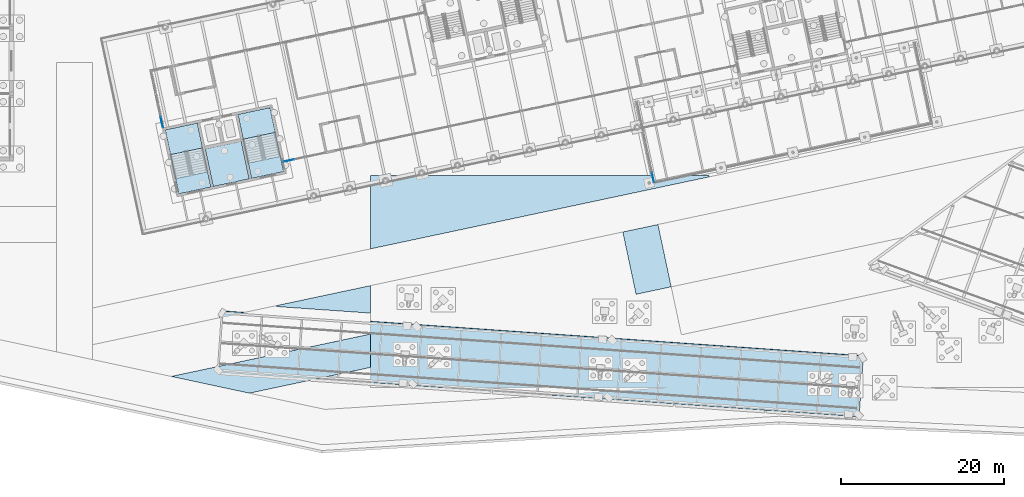
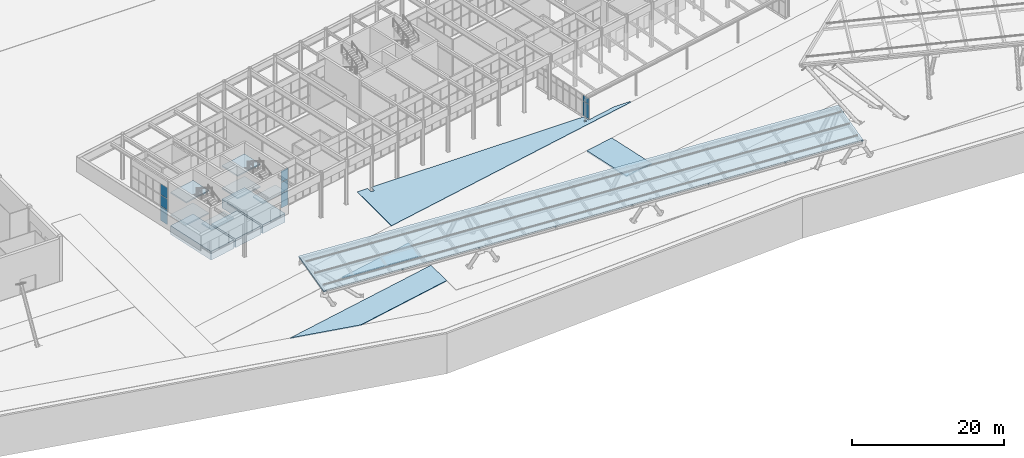
# One storey, part 139 of 239: 14 slabs, 8 plates, 5 elements without a shape of their own.
"""IFC4 building model written with IfcOpenShell, lengths in metres."""

from ifc_helpers import new_model, si_unit, direction, frame, origin, origin_2d, place, context, subcontext, project, spatial, polyline, rectangle, outline, extrude, material, layer, layer_set, type_object, element, aggregate, save


model = new_model("IFC4")

# Units and contexts
model_context = context("Model", 3, precision=1e-05, world=origin(), true_north=direction((0.0, 1.0)))
body_context = subcontext(model_context, "Body", "Model", "MODEL_VIEW")
ifc_project = project(units=[si_unit("LENGTHUNIT", "METRE"), si_unit("AREAUNIT", "SQUARE_METRE"), si_unit("VOLUMEUNIT", "CUBIC_METRE"), si_unit("PLANEANGLEUNIT", "RADIAN"), si_unit("MASSUNIT", "GRAM", prefix="KILO")], contexts=[model_context])

# Site, building, storey
site_placement = place(None, origin())
site = spatial("IfcSite", under=ifc_project, at=site_placement, CompositionType="ELEMENT")
building_placement = place(site_placement, origin())
building = spatial("IfcBuilding", under=site, at=building_placement, Name="Okhra Congress Centre", CompositionType="ELEMENT")
storey_placement = place(building_placement, origin())
storey = spatial("IfcBuildingStorey", under=building, at=storey_placement, Name="L00", CompositionType="ELEMENT", Elevation=0.0)

# Curtain wall, plates
ifc_material_1 = material(Name="Aluminium curtain wall, triple glazing", Category="aluminium")
curtain_wall_type_1 = type_object("IfcCurtainWallType", Name="Curtain wall 1500 module", PredefinedType="NOTDEFINED", material=ifc_material_1)
curtain_wall_1_placement = place(storey_placement, origin())
curtain_wall_1 = element("IfcCurtainWall", 1, at=curtain_wall_1_placement, inside=storey, type_object=curtain_wall_type_1, Name="Ground curtain wall S1", PredefinedType="NOTDEFINED")
ifc_material_2 = material(Name="Triple glazing unit, low-e coating, argon fill", Category="glass")
ifc_layer_1 = layer(ifc_material_2, 0.028076171875)
ifc_layer_set_1 = layer_set([ifc_layer_1], Name="Curtain wall glazing unit 28")
plate_type = type_object("IfcPlateType", Name="Curtain wall glazing unit 28", PredefinedType="CURTAIN_PANEL", material=ifc_layer_set_1)
plate_1_placement = place(storey_placement, frame((79.968017578125, 35.80224609375, 0.06005859375), z_axis=(0.0, 0.0, 1.0), x_axis=(0.978147600734, 0.207911690818, 0.0)))
plate_1 = element("IfcPlate", 2, at=plate_1_placement, type_object=plate_type, Name="CW7 panel 1.1", PredefinedType="CURTAIN_PANEL", context=body_context, shape_type="SweptSolid", body=[
    extrude(rectangle(XDim=1.22509765625, YDim=0.028076171875, at=origin_2d()), origin(), (0.0, 0.0, 1.0), 2.31005859375),
])
plate_2_placement = place(storey_placement, frame((79.968017578125, 35.80224609375, 2.43017578125), z_axis=(0.0, 0.0, 1.0), x_axis=(0.978147600734, 0.207911690818, 0.0)))
plate_2 = element("IfcPlate", 3, at=plate_2_placement, type_object=plate_type, Name="CW7 panel 1.2", PredefinedType="CURTAIN_PANEL", context=body_context, shape_type="SweptSolid", body=[
    extrude(rectangle(XDim=1.22509765625, YDim=0.028076171875, at=origin_2d()), origin(), (0.0, 0.0, 1.0), 1.739990234375),
])
plate_3_placement = place(storey_placement, frame((79.968017578125, 35.80224609375, 4.22998046875), z_axis=(0.0, 0.0, 1.0), x_axis=(0.978147600734, 0.207911690818, 0.0)))
plate_3 = element("IfcPlate", 4, at=plate_3_placement, type_object=plate_type, Name="CW7 panel 1.3", PredefinedType="CURTAIN_PANEL", context=body_context, shape_type="SweptSolid", body=[
    extrude(rectangle(XDim=1.22509765625, YDim=0.028076171875, at=origin_2d()), origin(), (0.0, 0.0, 1.0), 1.760009765625),
])
aggregate(curtain_wall_1, [plate_1, plate_2, plate_3])

curtain_wall_2_placement = place(storey_placement, origin())
curtain_wall_2 = element("IfcCurtainWall", 5, at=curtain_wall_2_placement, inside=storey, type_object=curtain_wall_type_1, Name="Ground curtain wall W12", PredefinedType="NOTDEFINED")
plate_4_placement = place(storey_placement, frame((64.415771484375, 40.515625, 0.06005859375), z_axis=(0.0, 0.0, 1.0), x_axis=(-0.207911690818, 0.978147600734, 0.0)))
plate_4 = element("IfcPlate", 6, at=plate_4_placement, type_object=plate_type, Name="CW7 panel 1.1", PredefinedType="CURTAIN_PANEL", context=body_context, shape_type="SweptSolid", body=[
    extrude(rectangle(XDim=1.327880859375, YDim=0.028076171875, at=origin_2d()), origin(), (0.0, 0.0, 1.0), 2.31005859375),
])
plate_5_placement = place(storey_placement, frame((64.415771484375, 40.515625, 2.43017578125), z_axis=(0.0, 0.0, 1.0), x_axis=(-0.207911690818, 0.978147600734, 0.0)))
plate_5 = element("IfcPlate", 7, at=plate_5_placement, type_object=plate_type, Name="CW7 panel 1.2", PredefinedType="CURTAIN_PANEL", context=body_context, shape_type="SweptSolid", body=[
    extrude(rectangle(XDim=1.327880859375, YDim=0.028076171875, at=origin_2d()), origin(), (0.0, 0.0, 1.0), 1.739990234375),
])
plate_6_placement = place(storey_placement, frame((64.415771484375, 40.515625, 4.22998046875), z_axis=(0.0, 0.0, 1.0), x_axis=(-0.207911690818, 0.978147600734, 0.0)))
plate_6 = element("IfcPlate", 8, at=plate_6_placement, type_object=plate_type, Name="CW7 panel 1.3", PredefinedType="CURTAIN_PANEL", context=body_context, shape_type="SweptSolid", body=[
    extrude(rectangle(XDim=1.327880859375, YDim=0.028076171875, at=origin_2d()), origin(), (0.0, 0.0, 1.0), 1.760009765625),
])
aggregate(curtain_wall_2, [plate_4, plate_5, plate_6])

curtain_wall_type_2 = type_object("IfcCurtainWallType", Name="Curtain wall 1200 module", PredefinedType="NOTDEFINED", material=ifc_material_1)
curtain_wall_3_placement = place(storey_placement, origin())
curtain_wall_3 = element("IfcCurtainWall", 9, at=curtain_wall_3_placement, inside=storey, type_object=curtain_wall_type_2, Name="Porch glazed side 1", PredefinedType="NOTDEFINED")
plate_7_placement = place(storey_placement, frame((124.56201171875, 33.724365234375, 0.06005859375), z_axis=(0.0, 0.0, 1.0), x_axis=(-0.207911690818, 0.978147600734, 0.0)))
plate_7 = element("IfcPlate", 10, at=plate_7_placement, type_object=plate_type, Name="CW8 panel 1.1", PredefinedType="CURTAIN_PANEL", context=body_context, shape_type="SweptSolid", body=[
    extrude(rectangle(XDim=1.181884765625, YDim=0.028076171875, at=origin_2d()), origin(), (0.0, 0.0, 1.0), 2.31005859375),
])
plate_8_placement = place(storey_placement, frame((124.56201171875, 33.724365234375, 2.429931640625), z_axis=(0.0, 0.0, 1.0), x_axis=(-0.207911690818, 0.978147600734, 0.0)))
plate_8 = element("IfcPlate", 11, at=plate_8_placement, type_object=plate_type, Name="CW8 panel 1.2", PredefinedType="CURTAIN_PANEL", context=body_context, shape_type="SweptSolid", body=[
    extrude(rectangle(XDim=1.181884765625, YDim=0.028076171875, at=origin_2d()), origin(), (0.0, 0.0, 1.0), 0.92578125),
])
aggregate(curtain_wall_3, [plate_7, plate_8])

# Slabs
ifc_material_3 = material(Name="Insulated metal sandwich roof panel (mineral wool core)")
ifc_layer_2 = layer(ifc_material_3, 0.199951171875)
ifc_layer_set_2 = layer_set([ifc_layer_2], Name="Insulated canopy roof panel 200")
slab_type_1 = type_object("IfcSlabType", Name="Insulated canopy roof panel 200", PredefinedType="ROOF", material=ifc_layer_set_2)
slab_1_placement = place(storey_placement, frame((70.99755859375, 9.93017578125, 5.300048828125), z_axis=(-0.008501313442, -0.121574958968, 0.992545846307), x_axis=(0.99756407073, -0.069756181008, 0.0)))
element("IfcSlab", 12, at=slab_1_placement, inside=storey, type_object=slab_type_1, Name="Covered promenade roof panel", PredefinedType="ROOF", context=body_context, shape_type="SweptSolid", body=[
    extrude(outline(polyline([(0.0, 0.0), (79.00005573560463, 8.881784197001252e-16), (79.00008054922709, 7.556286276728152), (2.481362246031793e-05, 7.556286276728151), (0.0, 0.0)])), origin(), (0.0, 0.0, -1.0), 0.199951171875),
])
ifc_material_4 = material(Name="Concrete C30/37", Category="concrete")
ifc_layer_3 = layer(ifc_material_4, 0.14990234375)
ifc_layer_set_3 = layer_set([ifc_layer_3], Name="Paving slab 150 C30/37")
slab_type_2 = type_object("IfcSlabType", Name="Paving slab 150 C30/37", PredefinedType="BASESLAB", material=ifc_layer_set_3)
slab_2_placement = place(storey_placement, frame((0.0, 0.0, -0.14990234375)))
element("IfcSlab", 13, at=slab_2_placement, inside=storey, type_object=slab_type_2, Name="Court Path West paving", PredefinedType="BASESLAB", context=body_context, shape_type="SweptSolid", body=[
    extrude(outline(polyline([(90.0, 10.4794921875), (90.0, 14.56884765625), (65.5546875, 9.372802734375), (75.13525390625, 7.31982421875), (90.0, 10.4794921875)])), origin(), (0.0, 0.0, 1.0), 0.14990234375),
])
slab_3_placement = place(storey_placement, frame((0.0, 0.0, -0.14990234375)))
element("IfcSlab", 14, at=slab_3_placement, inside=storey, type_object=slab_type_2, Name="Promenade Walk paving", PredefinedType="BASESLAB", context=body_context, shape_type="SweptSolid", body=[
    extrude(outline(polyline([(90.0, 17.122314453125), (90.0, 20.49853515625), (78.4794921875, 18.0498046875), (78.48828125, 17.92724609375), (90.0, 17.122314453125)])), origin(), (0.0, 0.0, 1.0), 0.14990234375),
])
ifc_layer_4 = layer(ifc_material_4, 0.1201171875)
ifc_layer_set_4 = layer_set([ifc_layer_4], Name="Precast plaza paving slab 120 C30/37")
slab_type_3 = type_object("IfcSlabType", Name="Precast plaza paving slab 120 C30/37", PredefinedType="BASESLAB", material=ifc_layer_set_4)
slab_4_placement = place(storey_placement, frame((0.0, 0.0, -0.1201171875)))
element("IfcSlab", 15, at=slab_4_placement, inside=storey, type_object=slab_type_3, Name="Court Plaza 2 paving", PredefinedType="BASESLAB", context=body_context, shape_type="SweptSolid", body=[
    extrude(outline(polyline([(90.0, 34.0), (90.0, 24.996826171875), (131.45849609375, 33.80908203125), (131.4384765625, 34.0), (129.0380859375, 34.0), (124.611328125, 33.05908203125), (124.411376953125, 34.0), (92.086669921875, 34.0), (92.086669921875, 33.094482421875), (91.55859375, 33.094482421875), (91.55859375, 34.0), (90.0, 34.0)]), holes=[polyline([(124.236083984375, 33.20703125), (123.943115234375, 33.20703125), (123.943115234375, 32.9140625), (124.236083984375, 32.9140625), (124.236083984375, 33.20703125)])]), origin(), (0.0, 0.0, 1.0), 0.1201171875),
])
ifc_material_5 = material(Name="Concrete C35/45", Category="concrete")
ifc_layer_5 = layer(ifc_material_5, 1.39990234375)
ifc_layer_set_5 = layer_set([ifc_layer_5], Name="RC core raft slab 1400 C35/45")
slab_type_4 = type_object("IfcSlabType", Name="RC core raft slab 1400 C35/45", PredefinedType="BASESLAB", material=ifc_layer_set_5)
slab_5_placement = place(storey_placement, frame((0.0, 0.0, -1.39990234375)))
element("IfcSlab", 16, at=slab_5_placement, inside=storey, type_object=slab_type_4, Name="Stair cell raft 1A", PredefinedType="BASESLAB", context=body_context, shape_type="SweptSolid", body=[
    extrude(outline(polyline([(70.419677734375, 32.566162109375), (68.75634765625, 40.391357421875), (64.84375, 39.559814453125), (66.507080078125, 31.734619140625), (70.419677734375, 32.566162109375)])), origin(), (0.0, 0.0, 1.0), 1.39990234375),
])
slab_6_placement = place(storey_placement, frame((0.0, 0.0, -1.39990234375)))
element("IfcSlab", 17, at=slab_6_placement, inside=storey, type_object=slab_type_4, Name="Stair cell raft 1B", PredefinedType="BASESLAB", context=body_context, shape_type="SweptSolid", body=[
    extrude(outline(polyline([(79.32080078125, 34.458251953125), (77.657470703125, 42.283447265625), (73.744873046875, 41.45166015625), (75.408203125, 33.62646484375), (79.32080078125, 34.458251953125)])), origin(), (0.0, 0.0, 1.0), 1.39990234375),
])
slab_7_placement = place(storey_placement, frame((0.0, 0.0, -1.39990234375)))
element("IfcSlab", 18, at=slab_7_placement, inside=storey, type_object=slab_type_4, Name="Riser room raft 1", PredefinedType="BASESLAB", context=body_context, shape_type="SweptSolid", body=[
    extrude(outline(polyline([(70.713134765625, 32.628662109375), (75.11474609375, 33.564208984375), (74.1376953125, 38.161376953125), (69.73583984375, 37.225830078125), (70.713134765625, 32.628662109375)])), origin(), (0.0, 0.0, 1.0), 1.39990234375),
])
ifc_layer_6 = layer(ifc_material_4, 0.219970703125)
ifc_layer_set_6 = layer_set([ifc_layer_6], Name="RC fire appliance lane slab 220 C30/37")
slab_type_5 = type_object("IfcSlabType", Name="RC fire appliance lane slab 220 C30/37", PredefinedType="BASESLAB", material=ifc_layer_set_6)
slab_8_placement = place(storey_placement, frame((0.0, 0.0, -0.219970703125)))
element("IfcSlab", 19, at=slab_8_placement, inside=storey, type_object=slab_type_5, Name="Fire Route Porch West Link paving", PredefinedType="BASESLAB", context=body_context, shape_type="SweptSolid", body=[
    extrude(outline(polyline([(122.48876953125, 19.429931640625), (126.79248046875, 20.3447265625), (125.1708984375, 27.974365234375), (120.866943359375, 27.0595703125), (122.48876953125, 19.429931640625)])), origin(), (0.0, 0.0, 1.0), 0.219970703125),
])

# Stair, slabs
stair_type = type_object("IfcStairType", Name="Escape stair 1900 wide, 44 risers of 163.6", PredefinedType="HALF_TURN_STAIR", material=ifc_material_4)
stair_1_placement = place(storey_placement, origin())
stair_1 = element("IfcStair", 20, at=stair_1_placement, inside=storey, type_object=stair_type, Name="L00 Escape stair 1A", PredefinedType="HALF_TURN_STAIR")
ifc_layer_7 = layer(ifc_material_4, 0.199951171875)
ifc_layer_set_7 = layer_set([ifc_layer_7], Name="RC stair landing 200 C30/37")
slab_type_6 = type_object("IfcSlabType", Name="RC stair landing 200 C30/37", PredefinedType="LANDING", material=ifc_layer_set_7)
slab_9_placement = place(storey_placement, frame((0.0, 0.0, 1.60009765625)))
slab_9 = element("IfcSlab", 21, at=slab_9_placement, type_object=slab_type_6, Name="BS1A landing 1", PredefinedType="LANDING", context=body_context, shape_type="SweptSolid", body=[
    extrude(outline(polyline([(69.40673828125, 37.355224609375), (65.484375, 36.521484375), (64.837890625, 39.5634765625), (68.76025390625, 40.397216796875), (69.40673828125, 37.355224609375)])), origin(), (0.0, 0.0, 1.0), 0.199951171875),
])
slab_10_placement = place(storey_placement, frame((0.0, 0.0, 3.39990234375)))
slab_10 = element("IfcSlab", 22, at=slab_10_placement, type_object=slab_type_6, Name="BS1A landing 2", PredefinedType="LANDING", context=body_context, shape_type="SweptSolid", body=[
    extrude(outline(polyline([(70.425537109375, 32.562255859375), (66.503173828125, 31.728515625), (66.106201171875, 33.596923828125), (70.028564453125, 34.4306640625), (70.425537109375, 32.562255859375)])), origin(), (0.0, 0.0, 1.0), 0.2001953125),
])
slab_11_placement = place(storey_placement, frame((0.0, 0.0, 5.199951171875)))
slab_11 = element("IfcSlab", 23, at=slab_11_placement, type_object=slab_type_6, Name="BS1A landing 3", PredefinedType="LANDING", context=body_context, shape_type="SweptSolid", body=[
    extrude(outline(polyline([(69.40673828125, 37.355224609375), (65.484375, 36.521484375), (64.837890625, 39.5634765625), (68.76025390625, 40.397216796875), (69.40673828125, 37.355224609375)])), origin(), (0.0, 0.0, 1.0), 0.199951171875),
])
aggregate(stair_1, [slab_9, slab_10, slab_11])

stair_2_placement = place(storey_placement, origin())
stair_2 = element("IfcStair", 24, at=stair_2_placement, inside=storey, type_object=stair_type, Name="L00 Escape stair 1B", PredefinedType="HALF_TURN_STAIR")
slab_12_placement = place(storey_placement, frame((0.0, 0.0, 1.60009765625)))
slab_12 = element("IfcSlab", 25, at=slab_12_placement, type_object=slab_type_6, Name="BS1B landing 1", PredefinedType="LANDING", context=body_context, shape_type="SweptSolid", body=[
    extrude(outline(polyline([(78.307861328125, 39.247314453125), (74.385498046875, 38.41357421875), (73.739013671875, 41.45556640625), (77.661376953125, 42.289306640625), (78.307861328125, 39.247314453125)])), origin(), (0.0, 0.0, 1.0), 0.199951171875),
])
slab_13_placement = place(storey_placement, frame((0.0, 0.0, 3.39990234375)))
slab_13 = element("IfcSlab", 26, at=slab_13_placement, type_object=slab_type_6, Name="BS1B landing 2", PredefinedType="LANDING", context=body_context, shape_type="SweptSolid", body=[
    extrude(outline(polyline([(79.32666015625, 34.454345703125), (75.404296875, 33.62060546875), (75.00732421875, 35.489013671875), (78.9296875, 36.322509765625), (79.32666015625, 34.454345703125)])), origin(), (0.0, 0.0, 1.0), 0.2001953125),
])
slab_14_placement = place(storey_placement, frame((0.0, 0.0, 5.199951171875)))
slab_14 = element("IfcSlab", 27, at=slab_14_placement, type_object=slab_type_6, Name="BS1B landing 3", PredefinedType="LANDING", context=body_context, shape_type="SweptSolid", body=[
    extrude(outline(polyline([(78.307861328125, 39.247314453125), (74.385498046875, 38.41357421875), (73.739013671875, 41.45556640625), (77.661376953125, 42.289306640625), (78.307861328125, 39.247314453125)])), origin(), (0.0, 0.0, 1.0), 0.199951171875),
])
aggregate(stair_2, [slab_12, slab_13, slab_14])

save(model, "model.ifc")
